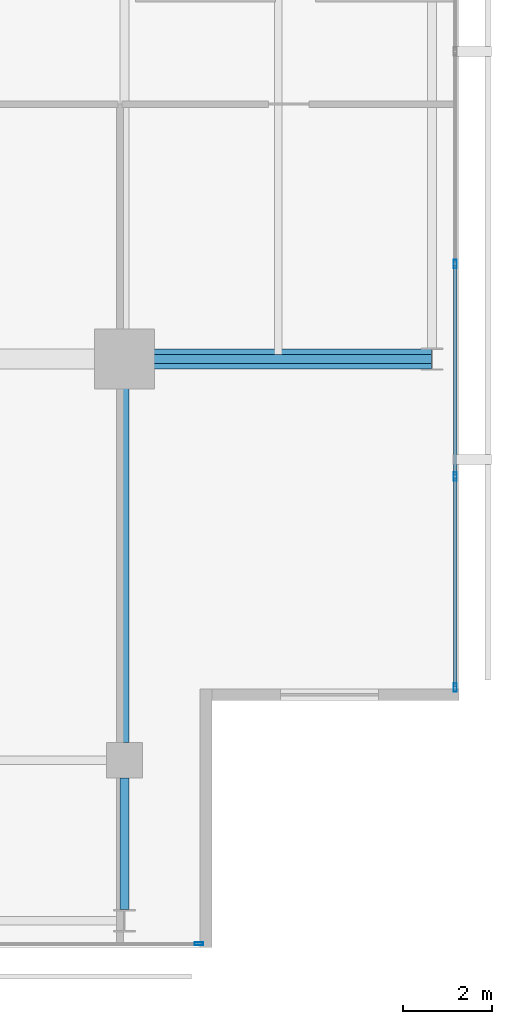
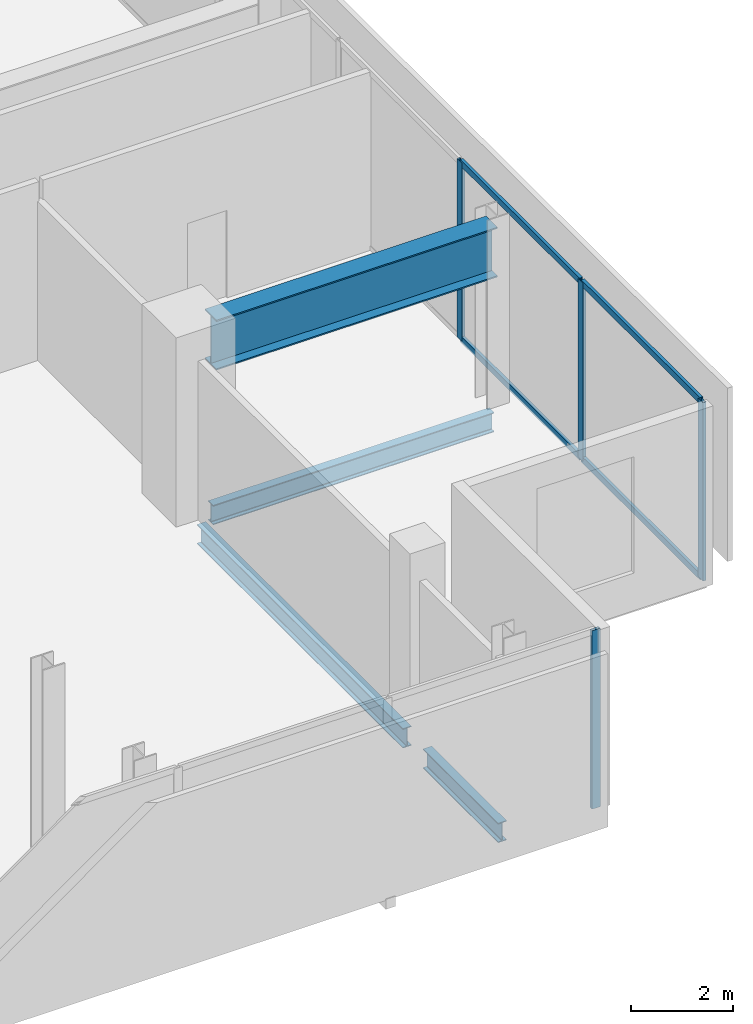
# One storey, part 11 of 23: 8 members, 4 beams, 2 elements without a shape of their own.
"""IFC4 building model written with IfcOpenShell, lengths in metres."""

from ifc_helpers import new_model, si_unit, direction, frame, origin, origin_2d, place, context, subcontext, project, spatial, hollow_rectangle, i_section, extrude, material, layer, layer_set, material_profile, profile_set, type_object, element, aggregate, save


model = new_model("IFC4")

# Units and contexts
model_context = context("Model", 3, precision=1e-05, world=origin(), true_north=direction((0.0, 1.0)))
body_context = subcontext(model_context, "Body", "Model", "MODEL_VIEW")
ifc_project = project(units=[si_unit("LENGTHUNIT", "METRE"), si_unit("AREAUNIT", "SQUARE_METRE"), si_unit("VOLUMEUNIT", "CUBIC_METRE"), si_unit("PLANEANGLEUNIT", "RADIAN"), si_unit("MASSUNIT", "GRAM", prefix="KILO")], contexts=[model_context])

# Site, building, storey
site_placement = place(None, origin())
site = spatial("IfcSite", under=ifc_project, at=site_placement, CompositionType="ELEMENT")
building_placement = place(site_placement, origin())
building = spatial("IfcBuilding", under=site, at=building_placement, Name="Maruvema Waterfront Hotel and Observation Tower", CompositionType="ELEMENT")
storey_placement = place(building_placement, frame((0.0, 0.0, 349.64990234375)))
storey = spatial("IfcBuildingStorey", under=building, at=storey_placement, Name="L86", CompositionType="ELEMENT", Elevation=349.64990234375)

# Curtain wall, members
ifc_material_1 = material(Name="Anodised bronze aluminium and solar-control low-E IGU", Category="aluminium")
ifc_layer = layer(ifc_material_1, 0.159912109375, Name="Observation Crown Structural Glazed Curtain Wall System CW-06")
ifc_layer_set = layer_set([ifc_layer], Name="Anodised bronze aluminium and solar-control low-E IGU")
curtain_wall_type = type_object("IfcCurtainWallType", Name="Observation Crown Structural Glazed Curtain Wall System CW-06", PredefinedType="USERDEFINED", material=ifc_layer_set)
curtain_wall_1_placement = place(storey_placement, origin())
curtain_wall_1 = element("IfcCurtainWall", 1, at=curtain_wall_1_placement, inside=storey, type_object=curtain_wall_type, Name="L86 Curtain Wall CW-L86-E", ObjectType="UNITISED CURTAIN WALL", PredefinedType="USERDEFINED")
ifc_material_2 = material(Name="Anodised architectural bronze aluminium", Category="aluminium")
ifc_material_profile_1 = material_profile(ifc_material_2, hollow_rectangle(XDim=0.070068359375, YDim=0.14990234375, WallThickness=0.00390625, at=origin_2d()), Name="ALU-T70x150")
ifc_profile_set_1 = profile_set([ifc_material_profile_1], Name="Anodised architectural bronze aluminium")
member_type_1 = type_object("IfcMemberType", Name="Curtain Wall Horizontal Transom ALU-T70x150", PredefinedType="USERDEFINED", material=ifc_profile_set_1)
member_1_placement = place(storey_placement, frame((57.820068359375, 19.659912109375, 0.030029296875), z_axis=(0.0, 1.0, 0.0), x_axis=(-1.0, 0.0, 0.0)))
member_1 = element("IfcMember", 2, at=member_1_placement, type_object=member_type_1, Name="CW-06 transom 1.1", ObjectType="TRANSOM", PredefinedType="USERDEFINED", context=body_context, shape_type="SweptSolid", body=[
    extrude(hollow_rectangle(XDim=0.070068359375, YDim=0.14990234375, WallThickness=0.00390625, at=origin_2d()), origin(), (0.0, 0.0, 1.0), 4.6767578125),
])
member_2_placement = place(storey_placement, frame((57.820068359375, 19.659912109375, 4.260009765625), z_axis=(0.0, 1.0, 0.0), x_axis=(-1.0, 0.0, 0.0)))
member_2 = element("IfcMember", 3, at=member_2_placement, type_object=member_type_1, Name="CW-06 transom 1.2", ObjectType="TRANSOM", PredefinedType="USERDEFINED", context=body_context, shape_type="SweptSolid", body=[
    extrude(hollow_rectangle(XDim=0.070068359375, YDim=0.14990234375, WallThickness=0.00390625, at=origin_2d()), origin(), (0.0, 0.0, 1.0), 4.6767578125),
])
member_3_placement = place(storey_placement, frame((57.820068359375, 24.396728515625, 0.030029296875), z_axis=(0.0, 1.0, 0.0), x_axis=(-1.0, 0.0, 0.0)))
member_3 = element("IfcMember", 4, at=member_3_placement, type_object=member_type_1, Name="CW-06 transom 2.1", ObjectType="TRANSOM", PredefinedType="USERDEFINED", context=body_context, shape_type="SweptSolid", body=[
    extrude(hollow_rectangle(XDim=0.070068359375, YDim=0.14990234375, WallThickness=0.00390625, at=origin_2d()), origin(), (0.0, 0.0, 1.0), 4.70654296875),
])
member_4_placement = place(storey_placement, frame((57.820068359375, 24.396728515625, 4.260009765625), z_axis=(0.0, 1.0, 0.0), x_axis=(-1.0, 0.0, 0.0)))
member_4 = element("IfcMember", 5, at=member_4_placement, type_object=member_type_1, Name="CW-06 transom 2.2", ObjectType="TRANSOM", PredefinedType="USERDEFINED", context=body_context, shape_type="SweptSolid", body=[
    extrude(hollow_rectangle(XDim=0.070068359375, YDim=0.14990234375, WallThickness=0.00390625, at=origin_2d()), origin(), (0.0, 0.0, 1.0), 4.70654296875),
])

# Curtain wall, member
curtain_wall_2_placement = place(storey_placement, origin())
curtain_wall_2 = element("IfcCurtainWall", 6, at=curtain_wall_2_placement, inside=storey, type_object=curtain_wall_type, Name="L86 Curtain Wall CW-L86-S", ObjectType="UNITISED CURTAIN WALL", PredefinedType="USERDEFINED")
ifc_material_3 = material(Name="Anodised architectural bronze aluminium", Category="aluminium")
ifc_material_profile_2 = material_profile(ifc_material_3, hollow_rectangle(XDim=0.070068359375, YDim=0.18994140625, WallThickness=0.00390625, at=origin_2d()), Name="ALU-M70x190")
ifc_profile_set_2 = profile_set([ifc_material_profile_2], Name="Anodised architectural bronze aluminium")
member_type_2 = type_object("IfcMemberType", Name="Podium Storefront Heavy Mullion ALU-M70x190", PredefinedType="MULLION", material=ifc_profile_set_2)
member_5_placement = place(storey_placement, frame((52.070068359375, 13.8798828125, 0.0), z_axis=(0.0, 0.0, 1.0), x_axis=(0.0, 1.0, 0.0)))
member_5 = element("IfcMember", 7, at=member_5_placement, type_object=member_type_2, Name="CW-06 mullion 7", PredefinedType="MULLION", context=body_context, shape_type="SweptSolid", body=[
    extrude(hollow_rectangle(XDim=0.070068359375, YDim=0.18994140625, WallThickness=0.00390625, at=origin_2d()), origin(), (0.0, 0.0, 1.0), 4.2900390625),
])
aggregate(curtain_wall_2, [member_5])

# Member
member_6_placement = place(storey_placement, frame((57.820068359375, 19.6298828125, 0.0), z_axis=(0.0, 0.0, 1.0), x_axis=(-1.0, 0.0, 0.0)))
member_6 = element("IfcMember", 8, at=member_6_placement, type_object=member_type_2, Name="CW-06 mullion 1", PredefinedType="MULLION", context=body_context, shape_type="SweptSolid", body=[
    extrude(hollow_rectangle(XDim=0.070068359375, YDim=0.18994140625, WallThickness=0.00390625, at=origin_2d()), origin(), (0.0, 0.0, 1.0), 4.2900390625),
])

member_7_placement = place(storey_placement, frame((57.820068359375, 24.36669921875, 0.0), z_axis=(0.0, 0.0, 1.0), x_axis=(-1.0, 0.0, 0.0)))
member_7 = element("IfcMember", 9, at=member_7_placement, type_object=member_type_2, Name="CW-06 mullion 2", PredefinedType="MULLION", context=body_context, shape_type="SweptSolid", body=[
    extrude(hollow_rectangle(XDim=0.070068359375, YDim=0.18994140625, WallThickness=0.00390625, at=origin_2d()), origin(), (0.0, 0.0, 1.0), 4.2900390625),
])

member_8_placement = place(storey_placement, frame((57.820068359375, 29.13330078125, 0.0), z_axis=(0.0, 0.0, 1.0), x_axis=(-1.0, 0.0, 0.0)))
member_8 = element("IfcMember", 10, at=member_8_placement, type_object=member_type_2, Name="CW-06 mullion 3", PredefinedType="MULLION", context=body_context, shape_type="SweptSolid", body=[
    extrude(hollow_rectangle(XDim=0.070068359375, YDim=0.18994140625, WallThickness=0.00390625, at=origin_2d()), origin(), (0.0, 0.0, 1.0), 4.2900390625),
])

aggregate(curtain_wall_1, [member_6, member_7, member_8, member_1, member_2, member_3, member_4])

# Beams
ifc_material_4 = material(Name="Steel ASTM A572 Grade 50", Category="steel")
ifc_material_profile_3 = material_profile(ifc_material_4, i_section(OverallWidth=0.194091796875, OverallDepth=0.468994140625, WebThickness=0.0126953125, FlangeThickness=0.0205078125, FilletRadius=0.014892578125, at=origin_2d()), Name="W460x106.0")
ifc_profile_set_3 = profile_set([ifc_material_profile_3], Name="Steel ASTM A572 Grade 50")
beam_type_1 = type_object("IfcBeamType", Name="Primary Floor Girder W460x106.0", PredefinedType="BEAM", material=ifc_profile_set_3)
beam_1_placement = place(storey_placement, frame((50.89990234375, 27.0, -0.474365234375), z_axis=(1.0, 0.0, 0.0), x_axis=(0.0, 1.0, 0.0)))
element("IfcBeam", 11, at=beam_1_placement, inside=storey, type_object=beam_type_1, Name="L86 Floor Girder EW-09", PredefinedType="BEAM", context=body_context, shape_type="SweptSolid", body=[
    extrude(i_section(OverallWidth=0.194091796875, OverallDepth=0.468994140625, WebThickness=0.0126953125, FlangeThickness=0.0205078125, FilletRadius=0.014892578125, at=origin_2d()), origin(), (0.0, 0.0, 1.0), 6.38916015625),
])
beam_2_placement = place(storey_placement, frame((50.39990234375, 14.64990234375, -0.474365234375), z_axis=(0.0, 1.0, 0.0), x_axis=(-1.0, 0.0, 0.0)))
element("IfcBeam", 12, at=beam_2_placement, inside=storey, type_object=beam_type_1, Name="L86 Floor Girder NS-11", PredefinedType="BEAM", context=body_context, shape_type="SweptSolid", body=[
    extrude(i_section(OverallWidth=0.194091796875, OverallDepth=0.468994140625, WebThickness=0.0126953125, FlangeThickness=0.0205078125, FilletRadius=0.014892578125, at=origin_2d()), origin(), (0.0, 0.0, 1.0), 2.9501953125),
])
beam_3_placement = place(storey_placement, frame((50.39990234375, 18.39990234375, -0.474365234375), z_axis=(0.0, 1.0, 0.0), x_axis=(-1.0, 0.0, 0.0)))
element("IfcBeam", 13, at=beam_3_placement, inside=storey, type_object=beam_type_1, Name="L86 Floor Girder NS-12", PredefinedType="BEAM", context=body_context, shape_type="SweptSolid", body=[
    extrude(i_section(OverallWidth=0.194091796875, OverallDepth=0.468994140625, WebThickness=0.0126953125, FlangeThickness=0.0205078125, FilletRadius=0.014892578125, at=origin_2d()), origin(), (0.0, 0.0, 1.0), 8.10009765625),
])
ifc_material_5 = material(Name="Steel ABNT NBR 7007 AR 415 (ASTM A572 Grade 50)", Category="steel")
ifc_material_profile_4 = material_profile(ifc_material_5, i_section(OverallWidth=0.449951171875, OverallDepth=1.199951171875, WebThickness=0.01904296875, FlangeThickness=0.031982421875, at=origin_2d()), Name="VS1200x366")
ifc_profile_set_4 = profile_set([ifc_material_profile_4], Name="Steel ABNT NBR 7007 AR 415 (ASTM A572 Grade 50)")
beam_type_2 = type_object("IfcBeamType", Name="Upper Setback Transfer Girder VS1200x366", PredefinedType="USERDEFINED", material=ifc_profile_set_4)
beam_4_placement = place(storey_placement, frame((50.89990234375, 27.0, 3.690185546875), z_axis=(1.0, 0.0, 0.0), x_axis=(0.0, 1.0, 0.0)))
element("IfcBeam", 14, at=beam_4_placement, inside=storey, type_object=beam_type_2, Name="L86 Upper Setback Transfer Girder E Y=27.0m", ObjectType="TRANSFER GIRDER", PredefinedType="USERDEFINED", context=body_context, shape_type="SweptSolid", body=[
    extrude(i_section(OverallWidth=0.449951171875, OverallDepth=1.199951171875, WebThickness=0.01904296875, FlangeThickness=0.031982421875, at=origin_2d()), origin(), (0.0, 0.0, 1.0), 6.38916015625),
])

save(model, "model.ifc")
